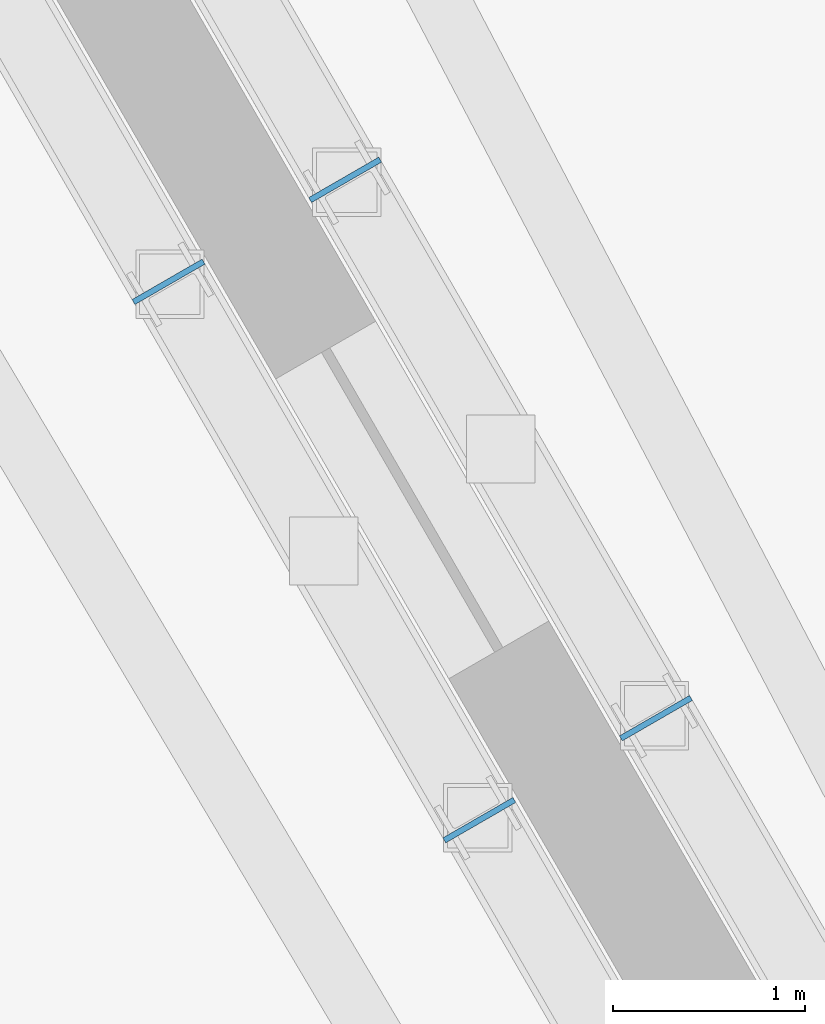
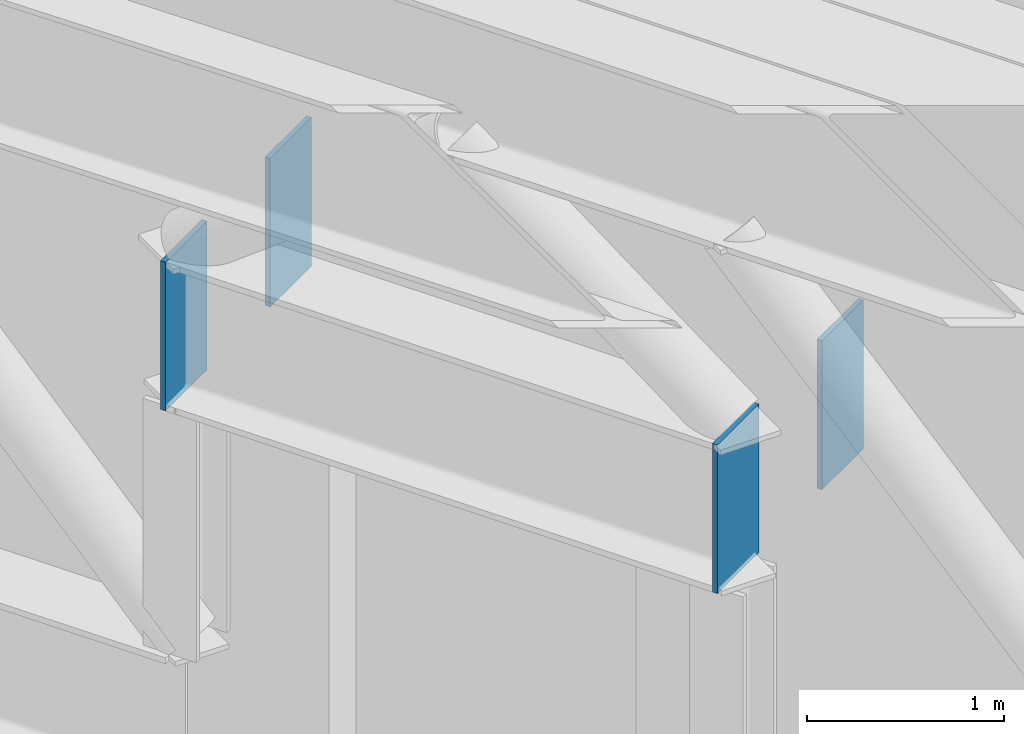
# One storey, part 18 of 27: 4 discrete accessories.
"""IFC4 building model written with IfcOpenShell, lengths in metres."""

from ifc_helpers import new_model, si_unit, direction, frame, origin, origin_2d, place, context, subcontext, project, spatial, rectangle, extrude, material, type_object, element, save


model = new_model("IFC4")

# Units and contexts
model_context = context("Model", 3, precision=1e-05, world=origin(), true_north=direction((0.0, 1.0)))
body_context = subcontext(model_context, "Body", "Model", "MODEL_VIEW")
ifc_project = project(units=[si_unit("LENGTHUNIT", "METRE"), si_unit("AREAUNIT", "SQUARE_METRE"), si_unit("VOLUMEUNIT", "CUBIC_METRE"), si_unit("PLANEANGLEUNIT", "RADIAN"), si_unit("MASSUNIT", "GRAM", prefix="KILO")], contexts=[model_context])

# Site, building, storey
site_placement = place(None, origin())
site = spatial("IfcSite", under=ifc_project, at=site_placement, CompositionType="ELEMENT")
building_placement = place(site_placement, origin())
building = spatial("IfcBuilding", under=site, at=building_placement, Name="Tarnside Tower", CompositionType="ELEMENT")
storey_placement = place(building_placement, frame((0.0, 0.0, 146.699951171875)))
storey = spatial("IfcBuildingStorey", under=building, at=storey_placement, Name="L34", CompositionType="ELEMENT", Elevation=146.699951171875)

# Discrete accessories
ifc_material = material(Name="Steel S355", Category="steel")
discrete_accessory_type = type_object("IfcDiscreteAccessoryType", Name="Gusset plate L34 outrigger end 420", PredefinedType="USERDEFINED", material=ifc_material)
for number, where, z_axis, x_axis, name in (
    (1, (11.861328125, -19.48388671875, 2.4501953125), (0.0, 0.0, 1.0), (-0.500012091947, 0.866018422383, 0.0), "Gusset plate 69 L34"),
    (2, (13.477294921875, -22.282958984375, 2.4501953125), (0.0, 0.0, 1.0), (0.500012091947, -0.866018422383, 0.0), "Gusset plate 70 L34"),
    (3, (10.94287109375, -20.01416015625, 2.4501953125), (0.0, 0.0, 1.0), (-0.500012091947, 0.866018422383, 0.0), "Gusset plate 86 L34"),
    (4, (12.55908203125, -22.813232421875, 2.4501953125), (0.0, 0.0, 1.0), (0.500012091947, -0.866018422383, 0.0), "Gusset plate 87 L34"),
):
    element("IfcDiscreteAccessory", number, at=place(storey_placement, frame(where, z_axis=z_axis, x_axis=x_axis)), inside=storey, type_object=discrete_accessory_type, Name=name, ObjectType="Gusset plate", PredefinedType="USERDEFINED", context=body_context, shape_type="SweptSolid", body=[
        extrude(rectangle(XDim=0.030029296875, YDim=0.42041015625, at=origin_2d()), origin(), (0.0, 0.0, 1.0), 0.9208984375),
    ])

save(model, "model.ifc")
